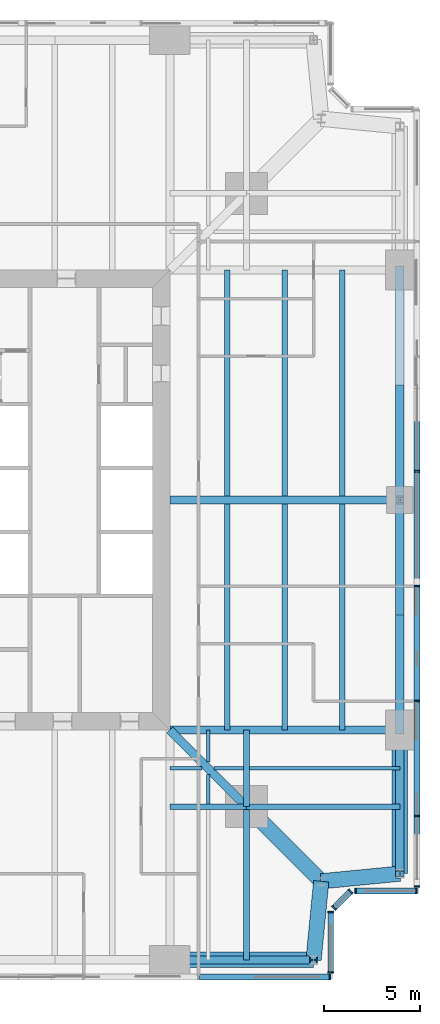
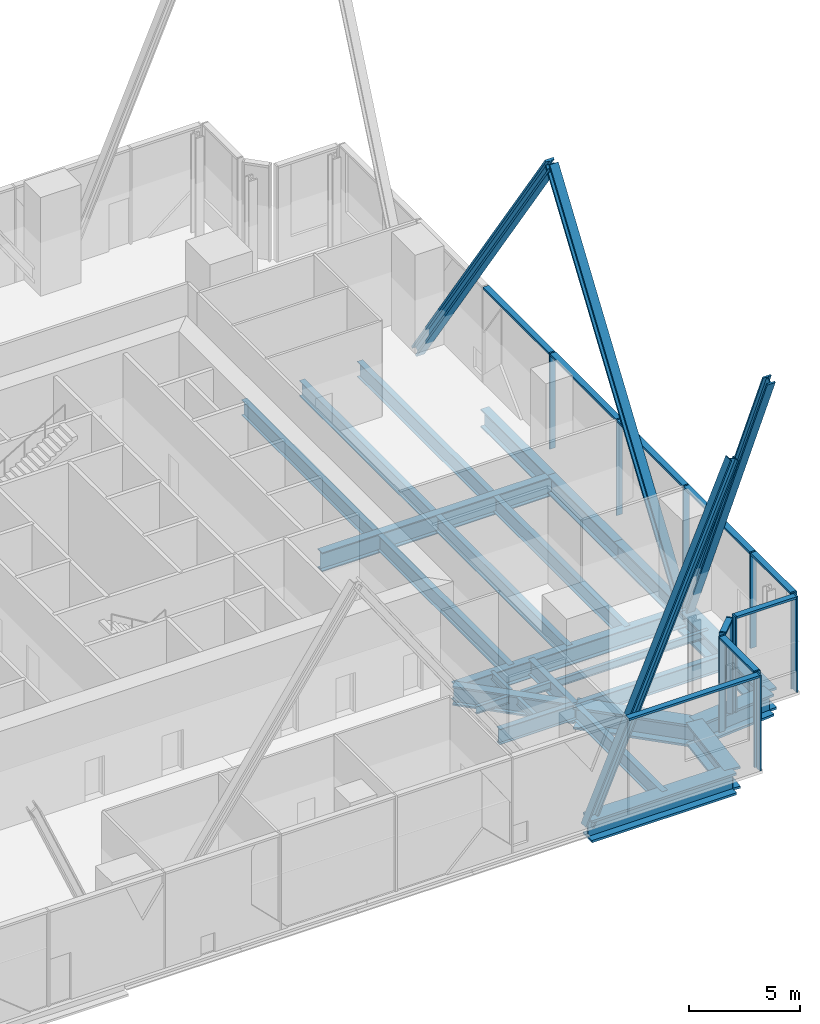
# One storey, part 3 of 13: 26 beams, 25 members, 5 elements without a shape of their own.
"""IFC4 building model written with IfcOpenShell, lengths in metres."""

from ifc_helpers import new_model, si_unit, direction, frame, origin, origin_2d, place, context, subcontext, project, spatial, rectangle, i_section, extrude, material, material_profile, profile_set, type_object, element, aggregate, save


model = new_model("IFC4")

# Units and contexts
model_context = context("Model", 3, precision=1e-05, world=origin(), true_north=direction((0.0, 1.0)))
body_context = subcontext(model_context, "Body", "Model", "MODEL_VIEW")
ifc_project = project(units=[si_unit("LENGTHUNIT", "METRE"), si_unit("AREAUNIT", "SQUARE_METRE"), si_unit("VOLUMEUNIT", "CUBIC_METRE"), si_unit("PLANEANGLEUNIT", "RADIAN"), si_unit("MASSUNIT", "GRAM", prefix="KILO")], contexts=[model_context])

# Site, building, storey
site_placement = place(None, origin())
site = spatial("IfcSite", under=ifc_project, at=site_placement, CompositionType="ELEMENT")
building_placement = place(site_placement, origin())
building = spatial("IfcBuilding", under=site, at=building_placement, Name="Fenwick Lantern Interchange", CompositionType="ELEMENT")
storey_placement = place(building_placement, frame((0.0, 0.0, 97.0)))
storey = spatial("IfcBuildingStorey", under=building, at=storey_placement, Name="L22", CompositionType="ELEMENT", Elevation=97.0)

# Members
ifc_material_1 = material(Name="Steel ASTM A992 Grade 50", Category="steel")
ifc_material_profile_1 = material_profile(ifc_material_1, i_section(OverallWidth=0.424072265625, OverallDepth=0.47509765625, WebThickness=0.0478515625, FlangeThickness=0.0771484375, at=origin_2d()), Name="W14X426")
ifc_profile_set_1 = profile_set([ifc_material_profile_1], Name="Steel ASTM A992 Grade 50")
member_type_1 = type_object("IfcMemberType", Name="FACADE BRACE W14X426", PredefinedType="BRACE", material=ifc_profile_set_1)
for number, where, z_axis, x_axis, name in (
    (1, (37.0, 1.0, -0.696533203125), (0.394095795697, 0.0, 0.919069368336), (0.0, 1.0, 0.0), "L22/FB/S/BE"),
    (2, (49.0, 13.0, -0.696533203125), (0.0, -0.394095795697, 0.919069368336), (1.0, 0.0, 0.0), "L22/FB/E/AE"),
):
    element("IfcMember", number, at=place(storey_placement, frame(where, z_axis=z_axis, x_axis=x_axis)), inside=storey, type_object=member_type_1, Name=name, PredefinedType="BRACE", context=body_context, shape_type="SweptSolid", body=[
        extrude(i_section(OverallWidth=0.424072265625, OverallDepth=0.47509765625, WebThickness=0.0478515625, FlangeThickness=0.0771484375, at=origin_2d()), origin(), (0.0, 0.0, 1.0), 19.031005859375),
    ])
ifc_material_profile_2 = material_profile(ifc_material_1, i_section(OverallWidth=0.44189453125, OverallDepth=0.53076171875, WebThickness=0.06591796875, FlangeThickness=0.105712890625, at=origin_2d()), Name="W14X605")
ifc_profile_set_2 = profile_set([ifc_material_profile_2], Name="Steel ASTM A992 Grade 50")
member_type_2 = type_object("IfcMemberType", Name="FACADE BRACE W14X605", PredefinedType="BRACE", material=ifc_profile_set_2)
for number, where, z_axis, x_axis, name in (
    (3, (49.0, 13.0, -0.696533203125), (0.0, 0.565732332995, 0.824588944507), (-1.0, 0.0, 0.0), "L22/FB/E/A"),
    (4, (49.0, 37.0, -0.696533203125), (0.0, -0.565732332995, 0.824588944507), (1.0, 0.0, 0.0), "L22/FB/E/B"),
):
    element("IfcMember", number, at=place(storey_placement, frame(where, z_axis=z_axis, x_axis=x_axis)), inside=storey, type_object=member_type_2, Name=name, PredefinedType="BRACE", context=body_context, shape_type="SweptSolid", body=[
        extrude(i_section(OverallWidth=0.44189453125, OverallDepth=0.53076171875, WebThickness=0.06591796875, FlangeThickness=0.105712890625, at=origin_2d()), origin(), (0.0, 0.0, 1.0), 21.21142578125),
    ])

# Beams
ifc_material_profile_3 = material_profile(ifc_material_1, i_section(OverallWidth=0.2919921875, OverallDepth=0.845703125, WebThickness=0.015380859375, FlangeThickness=0.0244140625, at=origin_2d()), Name="W33X141")
ifc_profile_set_3 = profile_set([ifc_material_profile_3], Name="Steel ASTM A992 Grade 50")
beam_type_1 = type_object("IfcBeamType", Name="FLOOR BEAM W33X141", PredefinedType="BEAM", material=ifc_profile_set_3)
for number, where, z_axis, x_axis, name in (
    (5, (46.0, 13.0, -0.622802734375), (0.0, 1.0, 0.0), (-1.0, 0.0, 0.0), "L22/FR/E/B01"),
    (6, (43.0, 13.0, -0.622802734375), (0.0, 1.0, 0.0), (-1.0, 0.0, 0.0), "L22/FR/E/B02"),
    (7, (40.0, 13.0, -0.622802734375), (0.0, 1.0, 0.0), (-1.0, 0.0, 0.0), "L22/FR/E/B03"),
    (8, (46.0, 25.20458984375, -0.622802734375), (0.0, 1.0, 0.0), (-1.0, 0.0, 0.0), "L22/FR/E/B04"),
    (9, (43.0, 25.20458984375, -0.622802734375), (0.0, 1.0, 0.0), (-1.0, 0.0, 0.0), "L22/FR/E/B05"),
    (10, (40.0, 25.20458984375, -0.622802734375), (0.0, 1.0, 0.0), (-1.0, 0.0, 0.0), "L22/FR/E/B06"),
):
    element("IfcBeam", number, at=place(storey_placement, frame(where, z_axis=z_axis, x_axis=x_axis)), inside=storey, type_object=beam_type_1, Name=name, PredefinedType="BEAM", context=body_context, shape_type="SweptSolid", body=[
        extrude(i_section(OverallWidth=0.2919921875, OverallDepth=0.845703125, WebThickness=0.015380859375, FlangeThickness=0.0244140625, at=origin_2d()), origin(), (0.0, 0.0, 1.0), 11.79541015625),
    ])
ifc_material_profile_4 = material_profile(ifc_material_1, i_section(OverallWidth=0.177734375, OverallDepth=0.406494140625, WebThickness=0.0078125, FlangeThickness=0.012939453125, at=origin_2d()), Name="W16X40")
ifc_profile_set_4 = profile_set([ifc_material_profile_4], Name="Steel ASTM A992 Grade 50")
beam_type_2 = type_object("IfcBeamType", Name="INFILL BEAM W16X40", PredefinedType="JOIST", material=ifc_profile_set_4)
beam_1_placement = place(storey_placement, frame((49.0, 11.0, -0.4033203125), z_axis=(-1.0, 0.0, 0.0), x_axis=(0.0, -1.0, 0.0)))
element("IfcBeam", 11, at=beam_1_placement, inside=storey, type_object=beam_type_2, Name="L22/FR/E/J1", PredefinedType="JOIST", context=body_context, shape_type="SweptSolid", body=[
    extrude(i_section(OverallWidth=0.177734375, OverallDepth=0.406494140625, WebThickness=0.0078125, FlangeThickness=0.012939453125, at=origin_2d()), origin(), (0.0, 0.0, 1.0), 7.85400390625),
])
beam_2_placement = place(storey_placement, frame((40.85400390625, 11.0, -0.4033203125), z_axis=(-1.0, 0.0, 0.0), x_axis=(0.0, -1.0, 0.0)))
element("IfcBeam", 12, at=beam_2_placement, inside=storey, type_object=beam_type_2, Name="L22/FR/E/J2", PredefinedType="JOIST", context=body_context, shape_type="SweptSolid", body=[
    extrude(i_section(OverallWidth=0.177734375, OverallDepth=0.406494140625, WebThickness=0.0078125, FlangeThickness=0.012939453125, at=origin_2d()), origin(), (0.0, 0.0, 1.0), 1.537841796875),
])
beam_3_placement = place(storey_placement, frame((38.683837890625, 11.0, -0.4033203125), z_axis=(-1.0, 0.0, 0.0), x_axis=(0.0, -1.0, 0.0)))
element("IfcBeam", 13, at=beam_3_placement, inside=storey, type_object=beam_type_2, Name="L22/FR/E/J6", PredefinedType="JOIST", context=body_context, shape_type="SweptSolid", body=[
    extrude(i_section(OverallWidth=0.177734375, OverallDepth=0.406494140625, WebThickness=0.0078125, FlangeThickness=0.012939453125, at=origin_2d()), origin(), (0.0, 0.0, 1.0), 1.683837890625),
])
beam_4_placement = place(storey_placement, frame((39.0, 9.14599609375, -0.4033203125), z_axis=(0.0, 1.0, 0.0), x_axis=(-1.0, 0.0, 0.0)))
element("IfcBeam", 14, at=beam_4_placement, inside=storey, type_object=beam_type_2, Name="L22/FR/E/J4", PredefinedType="JOIST", context=body_context, shape_type="SweptSolid", body=[
    extrude(i_section(OverallWidth=0.177734375, OverallDepth=0.406494140625, WebThickness=0.0078125, FlangeThickness=0.012939453125, at=origin_2d()), origin(), (0.0, 0.0, 1.0), 1.537841796875),
])
beam_5_placement = place(storey_placement, frame((39.0, 11.316162109375, -0.4033203125), z_axis=(0.0, 1.0, 0.0), x_axis=(-1.0, 0.0, 0.0)))
element("IfcBeam", 15, at=beam_5_placement, inside=storey, type_object=beam_type_2, Name="L22/FR/E/J5", PredefinedType="JOIST", context=body_context, shape_type="SweptSolid", body=[
    extrude(i_section(OverallWidth=0.177734375, OverallDepth=0.406494140625, WebThickness=0.0078125, FlangeThickness=0.012939453125, at=origin_2d()), origin(), (0.0, 0.0, 1.0), 1.683837890625),
])
ifc_material_profile_5 = material_profile(ifc_material_1, i_section(OverallWidth=0.2919921875, OverallDepth=0.845703125, WebThickness=0.015380859375, FlangeThickness=0.0244140625, at=origin_2d()), Name="W33X141")
ifc_profile_set_5 = profile_set([ifc_material_profile_5], Name="Steel ASTM A992 Grade 50")
beam_type_3 = type_object("IfcBeamType", Name="MEGA COLUMN BEAM W33X141", PredefinedType="BEAM", material=ifc_profile_set_5)
for number, where, z_axis, x_axis, name in (
    (16, (41.0, 9.0, -0.622802734375), (1.0, 0.0, 0.0), (0.0, 1.0, 0.0), "L22/FR/E/MB1"),
    (17, (41.0, 9.0, -0.622802734375), (0.0, -1.0, 0.0), (1.0, 0.0, 0.0), "L22/FR/E/MB2"),
):
    element("IfcBeam", number, at=place(storey_placement, frame(where, z_axis=z_axis, x_axis=x_axis)), inside=storey, type_object=beam_type_3, Name=name, PredefinedType="BEAM", context=body_context, shape_type="SweptSolid", body=[
        extrude(i_section(OverallWidth=0.2919921875, OverallDepth=0.845703125, WebThickness=0.015380859375, FlangeThickness=0.0244140625, at=origin_2d()), origin(), (0.0, 0.0, 1.0), 8.0),
    ])
for number, where, z_axis, x_axis, name in (
    (18, (41.0, 9.0, -0.622802734375), (0.0, 1.0, 0.0), (-1.0, 0.0, 0.0), "L22/FR/E/MB3"),
    (19, (41.0, 9.0, -0.622802734375), (-1.0, 0.0, 0.0), (0.0, -1.0, 0.0), "L22/FR/E/MB4"),
):
    element("IfcBeam", number, at=place(storey_placement, frame(where, z_axis=z_axis, x_axis=x_axis)), inside=storey, type_object=beam_type_3, Name=name, PredefinedType="BEAM", context=body_context, shape_type="SweptSolid", body=[
        extrude(i_section(OverallWidth=0.2919921875, OverallDepth=0.845703125, WebThickness=0.015380859375, FlangeThickness=0.0244140625, at=origin_2d()), origin(), (0.0, 0.0, 1.0), 4.0),
    ])
ifc_material_profile_6 = material_profile(ifc_material_1, i_section(OverallWidth=0.424072265625, OverallDepth=0.947509765625, WebThickness=0.02392578125, FlangeThickness=0.042724609375, at=origin_2d()), Name="W36X302")
ifc_profile_set_6 = profile_set([ifc_material_profile_6], Name="Steel ASTM A992 Grade 50")
beam_type_4 = type_object("IfcBeamType", Name="MOMENT-CONNECTED GIRDER W36X302", PredefinedType="BEAM", material=ifc_profile_set_6)
beam_6_placement = place(storey_placement, frame((49.0, 13.0, -0.673828125), z_axis=(-1.0, 0.0, 0.0), x_axis=(0.0, -1.0, 0.0)))
element("IfcBeam", 20, at=beam_6_placement, inside=storey, type_object=beam_type_4, Name="L22/FR/E/R01", PredefinedType="BEAM", context=body_context, shape_type="SweptSolid", body=[
    extrude(i_section(OverallWidth=0.424072265625, OverallDepth=0.947509765625, WebThickness=0.02392578125, FlangeThickness=0.042724609375, at=origin_2d()), origin(), (0.0, 0.0, 1.0), 12.0),
])
ifc_material_profile_7 = material_profile(ifc_material_1, i_section(OverallWidth=0.408935546875, OverallDepth=1.04150390625, WebThickness=0.031005859375, FlangeThickness=0.055908203125, at=origin_2d()), Name="W40X397")
ifc_profile_set_7 = profile_set([ifc_material_profile_7], Name="Steel ASTM A992 Grade 50")
beam_type_5 = type_object("IfcBeamType", Name="MOMENT-CONNECTED GIRDER W40X397", PredefinedType="BEAM", material=ifc_profile_set_7)
beam_7_placement = place(storey_placement, frame((49.0, 25.0, -0.720703125), z_axis=(-1.0, 0.0, 0.0), x_axis=(0.0, -1.0, 0.0)))
element("IfcBeam", 21, at=beam_7_placement, inside=storey, type_object=beam_type_5, Name="L22/FR/E/R02", PredefinedType="BEAM", context=body_context, shape_type="SweptSolid", body=[
    extrude(i_section(OverallWidth=0.408935546875, OverallDepth=1.04150390625, WebThickness=0.031005859375, FlangeThickness=0.055908203125, at=origin_2d()), origin(), (0.0, 0.0, 1.0), 12.0),
])
ifc_material_2 = material(Name="Steel ASTM A572 Grade 42", Category="steel")
ifc_material_profile_8 = material_profile(ifc_material_2, i_section(OverallWidth=0.800048828125, OverallDepth=1.199951171875, WebThickness=0.06005859375, FlangeThickness=0.1201171875, at=origin_2d()), Name="BU1200X800")
ifc_profile_set_8 = profile_set([ifc_material_profile_8], Name="Steel ASTM A572 Grade 42")
beam_type_6 = type_object("IfcBeamType", Name="MOMENT-CONNECTED TRANSFER GIRDER BU1200X800", PredefinedType="BEAM", material=ifc_profile_set_8)
beam_8_placement = place(storey_placement, frame((37.0, 1.0, -0.800048828125), z_axis=(1.0, 0.0, 0.0), x_axis=(0.0, 1.0, 0.0)))
element("IfcBeam", 22, at=beam_8_placement, inside=storey, type_object=beam_type_6, Name="L22/FR/S/EB6", PredefinedType="BEAM", context=body_context, shape_type="SweptSolid", body=[
    extrude(i_section(OverallWidth=0.800048828125, OverallDepth=1.199951171875, WebThickness=0.06005859375, FlangeThickness=0.1201171875, at=origin_2d()), origin(), (0.0, 0.0, 1.0), 7.5),
])
for number, where, z_axis, x_axis, name in (
    (23, (44.5, 1.0, -0.800048828125), (0.097074191287, 0.995277148028, 0.0), (-0.995277148028, 0.097074191287, 0.0), "L22/FR/S/EBR1"),
    (24, (44.89990234375, 5.10009765625, -0.800048828125), (0.995277148028, 0.097074191287, 0.0), (-0.097074191287, 0.995277148028, 0.0), "L22/FR/S/EBR2"),
):
    element("IfcBeam", number, at=place(storey_placement, frame(where, z_axis=z_axis, x_axis=x_axis)), inside=storey, type_object=beam_type_6, Name=name, PredefinedType="BEAM", context=body_context, shape_type="SweptSolid", body=[
        extrude(i_section(OverallWidth=0.800048828125, OverallDepth=1.199951171875, WebThickness=0.06005859375, FlangeThickness=0.1201171875, at=origin_2d()), origin(), (0.0, 0.0, 1.0), 4.11962890625),
    ])
beam_9_placement = place(storey_placement, frame((49.0, 5.5, -0.800048828125), z_axis=(0.0, 1.0, 0.0), x_axis=(-1.0, 0.0, 0.0)))
element("IfcBeam", 25, at=beam_9_placement, inside=storey, type_object=beam_type_6, Name="L22/FR/E/EB1", PredefinedType="BEAM", context=body_context, shape_type="SweptSolid", body=[
    extrude(i_section(OverallWidth=0.800048828125, OverallDepth=1.199951171875, WebThickness=0.06005859375, FlangeThickness=0.1201171875, at=origin_2d()), origin(), (0.0, 0.0, 1.0), 7.5),
])
beam_10_placement = place(storey_placement, frame((41.0, 9.0, -0.800048828125), z_axis=(0.707106781187, -0.707106781187, 0.0), x_axis=(0.707106781187, 0.707106781187, 0.0)))
element("IfcBeam", 26, at=beam_10_placement, inside=storey, type_object=beam_type_6, Name="L22/FR/E/TG", PredefinedType="BEAM", context=body_context, shape_type="SweptSolid", body=[
    extrude(i_section(OverallWidth=0.800048828125, OverallDepth=1.199951171875, WebThickness=0.06005859375, FlangeThickness=0.1201171875, at=origin_2d()), origin(), (0.0, 0.0, 1.0), 5.515380859375),
])
ifc_material_profile_9 = material_profile(ifc_material_1, i_section(OverallWidth=0.447021484375, OverallDepth=1.0439453125, WebThickness=0.050048828125, FlangeThickness=0.08984375, at=origin_2d()), Name="W36X652")
ifc_profile_set_9 = profile_set([ifc_material_profile_9], Name="Steel ASTM A992 Grade 50")
beam_type_7 = type_object("IfcBeamType", Name="OUTRIGGER CHORD W36X652", PredefinedType="BEAM", material=ifc_profile_set_9)
beam_11_placement = place(storey_placement, frame((37.0, 13.0, -0.721923828125), z_axis=(0.707106781187, -0.707106781187, 0.0), x_axis=(0.707106781187, 0.707106781187, 0.0)))
element("IfcBeam", 27, at=beam_11_placement, inside=storey, type_object=beam_type_7, Name="L22/OR/E/TC", PredefinedType="BEAM", context=body_context, shape_type="SweptSolid", body=[
    extrude(i_section(OverallWidth=0.447021484375, OverallDepth=1.0439453125, WebThickness=0.050048828125, FlangeThickness=0.08984375, at=origin_2d()), origin(), (0.0, 0.0, 1.0), 5.65673828125),
])

# Curtain wall, member
ifc_material_3 = material(Name="Aluminium curtain wall frame", Category="aluminium")
curtain_wall_type = type_object("IfcCurtainWallType", Name="SKY LOBBY GLAZING", PredefinedType="USERDEFINED", material=ifc_material_3)
curtain_wall_1_placement = place(storey_placement, origin())
curtain_wall_1 = element("IfcCurtainWall", 28, at=curtain_wall_1_placement, inside=storey, type_object=curtain_wall_type, Name="Sky lobby glazing 01", ObjectType="SKY LOBBY GLAZING", PredefinedType="USERDEFINED")
ifc_material_4 = material(Name="Aluminium extrusion", Category="aluminium")
ifc_material_profile_10 = material_profile(ifc_material_4, rectangle(XDim=0.300048828125, YDim=0.080078125, at=origin_2d()), Name="SKY LOBBY GLAZING MULLION 80 X 300")
ifc_profile_set_10 = profile_set([ifc_material_profile_10], Name="Aluminium extrusion")
member_type_3 = type_object("IfcMemberType", Name="SKY LOBBY GLAZING MULLION 80 X 300", PredefinedType="MULLION", material=ifc_profile_set_10)
member_1_placement = place(storey_placement, frame((45.360107421875, 0.10009765625, 0.0), z_axis=(0.0, 0.0, 1.0), x_axis=(0.0, 1.0, 0.0)))
member_1 = element("IfcMember", 29, at=member_1_placement, type_object=member_type_3, Name="L22/CW/01/M07", PredefinedType="MULLION", context=body_context, shape_type="SweptSolid", body=[
    extrude(rectangle(XDim=0.300048828125, YDim=0.080078125, at=origin_2d()), origin(), (0.0, 0.0, 1.0), 5.25),
])

# Curtain wall, members
curtain_wall_2_placement = place(storey_placement, origin())
curtain_wall_2 = element("IfcCurtainWall", 30, at=curtain_wall_2_placement, inside=storey, type_object=curtain_wall_type, Name="Sky lobby glazing 02", ObjectType="SKY LOBBY GLAZING", PredefinedType="USERDEFINED")
member_2_placement = place(storey_placement, frame((45.39990234375, 0.340087890625, 0.0), z_axis=(0.0, 0.0, 1.0), x_axis=(-1.0, 0.0, 0.0)))
member_2 = element("IfcMember", 31, at=member_2_placement, type_object=member_type_3, Name="L22/CW/02/M00", PredefinedType="MULLION", context=body_context, shape_type="SweptSolid", body=[
    extrude(rectangle(XDim=0.300048828125, YDim=0.080078125, at=origin_2d()), origin(), (0.0, 0.0, 1.0), 5.25),
])
member_3_placement = place(storey_placement, frame((45.39990234375, 3.50146484375, 0.0), z_axis=(0.0, 0.0, 1.0), x_axis=(-1.0, 0.0, 0.0)))
member_3 = element("IfcMember", 32, at=member_3_placement, type_object=member_type_3, Name="L22/CW/02/M01", PredefinedType="MULLION", context=body_context, shape_type="SweptSolid", body=[
    extrude(rectangle(XDim=0.300048828125, YDim=0.080078125, at=origin_2d()), origin(), (0.0, 0.0, 1.0), 5.25),
])

curtain_wall_3_placement = place(storey_placement, origin())
curtain_wall_3 = element("IfcCurtainWall", 33, at=curtain_wall_3_placement, inside=storey, type_object=curtain_wall_type, Name="Sky lobby glazing 03", ObjectType="SKY LOBBY GLAZING", PredefinedType="USERDEFINED")
member_4_placement = place(storey_placement, frame((45.56982421875, 3.711181640625, 0.0), z_axis=(0.0, 0.0, 1.0), x_axis=(-0.707106781187, 0.707106781187, 0.0)))
member_4 = element("IfcMember", 34, at=member_4_placement, type_object=member_type_3, Name="L22/CW/03/M00", PredefinedType="MULLION", context=body_context, shape_type="SweptSolid", body=[
    extrude(rectangle(XDim=0.300048828125, YDim=0.080078125, at=origin_2d()), origin(), (0.0, 0.0, 1.0), 5.25),
])
member_5_placement = place(storey_placement, frame((46.43017578125, 4.57177734375, 0.0), z_axis=(0.0, 0.0, 1.0), x_axis=(-0.707106781187, 0.707106781187, 0.0)))
member_5 = element("IfcMember", 35, at=member_5_placement, type_object=member_type_3, Name="L22/CW/03/M01", PredefinedType="MULLION", context=body_context, shape_type="SweptSolid", body=[
    extrude(rectangle(XDim=0.300048828125, YDim=0.080078125, at=origin_2d()), origin(), (0.0, 0.0, 1.0), 5.25),
])

curtain_wall_4_placement = place(storey_placement, origin())
curtain_wall_4 = element("IfcCurtainWall", 36, at=curtain_wall_4_placement, inside=storey, type_object=curtain_wall_type, Name="Sky lobby glazing 04", ObjectType="SKY LOBBY GLAZING", PredefinedType="USERDEFINED")
member_6_placement = place(storey_placement, frame((46.698486328125, 4.60009765625, 0.0), z_axis=(0.0, 0.0, 1.0), x_axis=(0.0, 1.0, 0.0)))
member_6 = element("IfcMember", 37, at=member_6_placement, type_object=member_type_3, Name="L22/CW/04/M00", PredefinedType="MULLION", context=body_context, shape_type="SweptSolid", body=[
    extrude(rectangle(XDim=0.300048828125, YDim=0.080078125, at=origin_2d()), origin(), (0.0, 0.0, 1.0), 5.25),
])
member_7_placement = place(storey_placement, frame((49.860107421875, 4.60009765625, 0.0), z_axis=(0.0, 0.0, 1.0), x_axis=(0.0, 1.0, 0.0)))
member_7 = element("IfcMember", 38, at=member_7_placement, type_object=member_type_3, Name="L22/CW/04/M01", PredefinedType="MULLION", context=body_context, shape_type="SweptSolid", body=[
    extrude(rectangle(XDim=0.300048828125, YDim=0.080078125, at=origin_2d()), origin(), (0.0, 0.0, 1.0), 5.25),
])

curtain_wall_5_placement = place(storey_placement, origin())
curtain_wall_5 = element("IfcCurtainWall", 39, at=curtain_wall_5_placement, inside=storey, type_object=curtain_wall_type, Name="Sky lobby glazing 05", ObjectType="SKY LOBBY GLAZING", PredefinedType="USERDEFINED")
member_8_placement = place(storey_placement, frame((49.89990234375, 4.840087890625, 0.0), z_axis=(0.0, 0.0, 1.0), x_axis=(-1.0, 0.0, 0.0)))
member_8 = element("IfcMember", 40, at=member_8_placement, type_object=member_type_3, Name="L22/CW/05/M00", PredefinedType="MULLION", context=body_context, shape_type="SweptSolid", body=[
    extrude(rectangle(XDim=0.300048828125, YDim=0.080078125, at=origin_2d()), origin(), (0.0, 0.0, 1.0), 5.25),
])
member_9_placement = place(storey_placement, frame((49.89990234375, 8.5, 0.0), z_axis=(0.0, 0.0, 1.0), x_axis=(-1.0, 0.0, 0.0)))
member_9 = element("IfcMember", 41, at=member_9_placement, type_object=member_type_3, Name="L22/CW/05/M01", PredefinedType="MULLION", context=body_context, shape_type="SweptSolid", body=[
    extrude(rectangle(XDim=0.300048828125, YDim=0.080078125, at=origin_2d()), origin(), (0.0, 0.0, 1.0), 5.25),
])
member_10_placement = place(storey_placement, frame((49.89990234375, 14.5, 0.0), z_axis=(0.0, 0.0, 1.0), x_axis=(-1.0, 0.0, 0.0)))
member_10 = element("IfcMember", 42, at=member_10_placement, type_object=member_type_3, Name="L22/CW/05/M02", PredefinedType="MULLION", context=body_context, shape_type="SweptSolid", body=[
    extrude(rectangle(XDim=0.300048828125, YDim=0.080078125, at=origin_2d()), origin(), (0.0, 0.0, 1.0), 5.25),
])
member_11_placement = place(storey_placement, frame((49.89990234375, 20.5, 0.0), z_axis=(0.0, 0.0, 1.0), x_axis=(-1.0, 0.0, 0.0)))
member_11 = element("IfcMember", 43, at=member_11_placement, type_object=member_type_3, Name="L22/CW/05/M03", PredefinedType="MULLION", context=body_context, shape_type="SweptSolid", body=[
    extrude(rectangle(XDim=0.300048828125, YDim=0.080078125, at=origin_2d()), origin(), (0.0, 0.0, 1.0), 5.25),
])
member_12_placement = place(storey_placement, frame((49.89990234375, 26.5, 0.0), z_axis=(0.0, 0.0, 1.0), x_axis=(-1.0, 0.0, 0.0)))
member_12 = element("IfcMember", 44, at=member_12_placement, type_object=member_type_3, Name="L22/CW/05/M04", PredefinedType="MULLION", context=body_context, shape_type="SweptSolid", body=[
    extrude(rectangle(XDim=0.300048828125, YDim=0.080078125, at=origin_2d()), origin(), (0.0, 0.0, 1.0), 5.25),
])

# Member
ifc_material_profile_11 = material_profile(ifc_material_4, rectangle(XDim=0.300048828125, YDim=0.1201171875, at=origin_2d()), Name="SKY LOBBY GLAZING TRANSOM 120 X 300")
ifc_profile_set_11 = profile_set([ifc_material_profile_11], Name="Aluminium extrusion")
member_type_4 = type_object("IfcMemberType", Name="SKY LOBBY GLAZING TRANSOM 120 X 300", PredefinedType="MULLION", material=ifc_profile_set_11)
member_13_placement = place(storey_placement, frame((38.5400390625, 0.10009765625, 5.18994140625), z_axis=(1.0, 0.0, 0.0), x_axis=(0.0, 1.0, 0.0)))
member_13 = element("IfcMember", 45, at=member_13_placement, type_object=member_type_4, Name="L22/CW/01/T06", PredefinedType="MULLION", context=body_context, shape_type="SweptSolid", body=[
    extrude(rectangle(XDim=0.300048828125, YDim=0.1201171875, at=origin_2d()), origin(), (0.0, 0.0, 1.0), 6.780029296875),
])

aggregate(curtain_wall_1, [member_1, member_13])

member_14_placement = place(storey_placement, frame((45.39990234375, 0.3798828125, 5.18994140625), z_axis=(0.0, 1.0, 0.0), x_axis=(-1.0, 0.0, 0.0)))
member_14 = element("IfcMember", 46, at=member_14_placement, type_object=member_type_4, Name="L22/CW/02/T00", PredefinedType="MULLION", context=body_context, shape_type="SweptSolid", body=[
    extrude(rectangle(XDim=0.300048828125, YDim=0.1201171875, at=origin_2d()), origin(), (0.0, 0.0, 1.0), 3.08154296875),
])

aggregate(curtain_wall_2, [member_2, member_3, member_14])

member_15_placement = place(storey_placement, frame((45.597900390625, 3.739501953125, 5.18994140625), z_axis=(0.707214121873, 0.706999424203, 0.0), x_axis=(-0.706999424203, 0.707214121873, 0.0)))
member_15 = element("IfcMember", 47, at=member_15_placement, type_object=member_type_4, Name="L22/CW/03/T00", PredefinedType="MULLION", context=body_context, shape_type="SweptSolid", body=[
    extrude(rectangle(XDim=0.300048828125, YDim=0.1201171875, at=origin_2d()), origin(), (0.0, 0.0, 1.0), 1.13720703125),
])

aggregate(curtain_wall_3, [member_4, member_5, member_15])

member_16_placement = place(storey_placement, frame((46.738525390625, 4.60009765625, 5.18994140625), z_axis=(1.0, 0.0, 0.0), x_axis=(0.0, 1.0, 0.0)))
member_16 = element("IfcMember", 48, at=member_16_placement, type_object=member_type_4, Name="L22/CW/04/T00", PredefinedType="MULLION", context=body_context, shape_type="SweptSolid", body=[
    extrude(rectangle(XDim=0.300048828125, YDim=0.1201171875, at=origin_2d()), origin(), (0.0, 0.0, 1.0), 3.08154296875),
])

aggregate(curtain_wall_4, [member_6, member_7, member_16])

member_17_placement = place(storey_placement, frame((49.89990234375, 4.8798828125, 5.18994140625), z_axis=(0.0, 1.0, 0.0), x_axis=(-1.0, 0.0, 0.0)))
member_17 = element("IfcMember", 49, at=member_17_placement, type_object=member_type_4, Name="L22/CW/05/T00", PredefinedType="MULLION", context=body_context, shape_type="SweptSolid", body=[
    extrude(rectangle(XDim=0.300048828125, YDim=0.1201171875, at=origin_2d()), origin(), (0.0, 0.0, 1.0), 3.580078125),
])

member_18_placement = place(storey_placement, frame((49.89990234375, 8.5400390625, 5.18994140625), z_axis=(0.0, 1.0, 0.0), x_axis=(-1.0, 0.0, 0.0)))
member_18 = element("IfcMember", 50, at=member_18_placement, type_object=member_type_4, Name="L22/CW/05/T01", PredefinedType="MULLION", context=body_context, shape_type="SweptSolid", body=[
    extrude(rectangle(XDim=0.300048828125, YDim=0.1201171875, at=origin_2d()), origin(), (0.0, 0.0, 1.0), 5.919921875),
])

member_19_placement = place(storey_placement, frame((49.89990234375, 14.5400390625, 5.18994140625), z_axis=(0.0, 1.0, 0.0), x_axis=(-1.0, 0.0, 0.0)))
member_19 = element("IfcMember", 51, at=member_19_placement, type_object=member_type_4, Name="L22/CW/05/T02", PredefinedType="MULLION", context=body_context, shape_type="SweptSolid", body=[
    extrude(rectangle(XDim=0.300048828125, YDim=0.1201171875, at=origin_2d()), origin(), (0.0, 0.0, 1.0), 5.919921875),
])

member_20_placement = place(storey_placement, frame((49.89990234375, 20.5400390625, 5.18994140625), z_axis=(0.0, 1.0, 0.0), x_axis=(-1.0, 0.0, 0.0)))
member_20 = element("IfcMember", 52, at=member_20_placement, type_object=member_type_4, Name="L22/CW/05/T03", PredefinedType="MULLION", context=body_context, shape_type="SweptSolid", body=[
    extrude(rectangle(XDim=0.300048828125, YDim=0.1201171875, at=origin_2d()), origin(), (0.0, 0.0, 1.0), 5.919921875),
])

member_21_placement = place(storey_placement, frame((49.89990234375, 26.5400390625, 5.18994140625), z_axis=(0.0, 1.0, 0.0), x_axis=(-1.0, 0.0, 0.0)))
member_21 = element("IfcMember", 53, at=member_21_placement, type_object=member_type_4, Name="L22/CW/05/T04", PredefinedType="MULLION", context=body_context, shape_type="SweptSolid", body=[
    extrude(rectangle(XDim=0.300048828125, YDim=0.1201171875, at=origin_2d()), origin(), (0.0, 0.0, 1.0), 5.919921875),
])

aggregate(curtain_wall_5, [member_8, member_9, member_10, member_11, member_12, member_17, member_18, member_19, member_20, member_21])

# Beams
ifc_material_profile_12 = material_profile(ifc_material_1, i_section(OverallWidth=0.434326171875, OverallDepth=0.9931640625, WebThickness=0.0380859375, FlangeThickness=0.06396484375, at=origin_2d()), Name="W36X487")
ifc_profile_set_12 = profile_set([ifc_material_profile_12], Name="Steel ASTM A992 Grade 50")
beam_type_8 = type_object("IfcBeamType", Name="TRUSS CHORD EDGE BEAM W36X487", PredefinedType="BEAM", material=ifc_profile_set_12)
for number, where, z_axis, x_axis, name in (
    (54, (49.0, 13.0, -0.696533203125), (0.0, 1.0, 0.0), (-1.0, 0.0, 0.0), "L22/FR/E/EB2"),
    (55, (49.0, 19.0, -0.696533203125), (0.0, 1.0, 0.0), (-1.0, 0.0, 0.0), "L22/FR/E/EB3"),
    (56, (49.0, 25.0, -0.696533203125), (0.0, 1.0, 0.0), (-1.0, 0.0, 0.0), "L22/FR/E/EB4"),
):
    element("IfcBeam", number, at=place(storey_placement, frame(where, z_axis=z_axis, x_axis=x_axis)), inside=storey, type_object=beam_type_8, Name=name, PredefinedType="BEAM", context=body_context, shape_type="SweptSolid", body=[
        extrude(i_section(OverallWidth=0.434326171875, OverallDepth=0.9931640625, WebThickness=0.0380859375, FlangeThickness=0.06396484375, at=origin_2d()), origin(), (0.0, 0.0, 1.0), 6.0),
    ])

save(model, "model.ifc")
